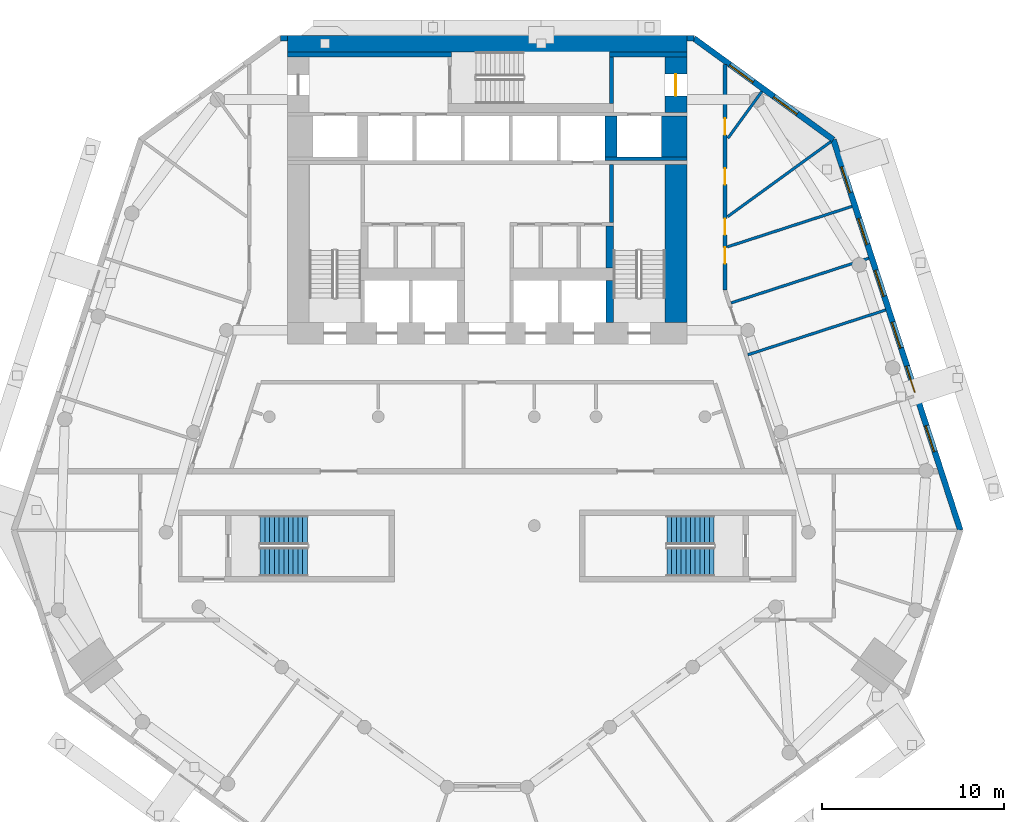
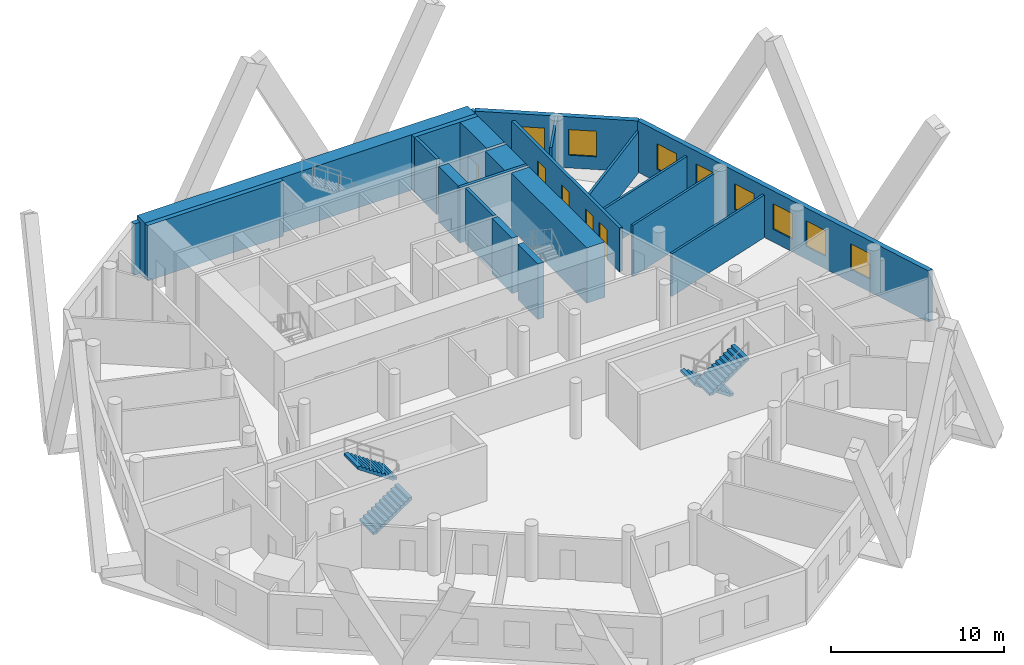
# One storey, part 7 of 10: 22 walls, 8 windows, 5 doors, 4 stair flights, 13 openings, 2 elements without a shape of their own.
"""IFC4 building model written with IfcOpenShell, lengths in metres."""

from ifc_helpers import new_model, si_unit, direction, frame, frame_2d, origin, place, context, subcontext, project, spatial, polyline, rectangle, outline, extrude, material, layer, layer_set, type_object, element, fill, aggregate, save


model = new_model("IFC4")

# Units and contexts
model_context = context("Model", 3, precision=1e-05, world=origin(), true_north=direction((0.0, 1.0)))
body_context = subcontext(model_context, "Body", "Model", "MODEL_VIEW")
ifc_project = project(units=[si_unit("LENGTHUNIT", "METRE"), si_unit("AREAUNIT", "SQUARE_METRE"), si_unit("VOLUMEUNIT", "CUBIC_METRE"), si_unit("PLANEANGLEUNIT", "RADIAN"), si_unit("MASSUNIT", "GRAM", prefix="KILO")], contexts=[model_context])

# Site, building, storey
site_placement = place(None, origin())
site = spatial("IfcSite", under=ifc_project, at=site_placement, CompositionType="ELEMENT")
building_placement = place(site_placement, origin())
building = spatial("IfcBuilding", under=site, at=building_placement, Name="White Candle Pilgrim Tower", CompositionType="ELEMENT")
storey_placement = place(building_placement, frame((0.0, 0.0, 54.60009765625)))
storey = spatial("IfcBuildingStorey", under=building, at=storey_placement, Name="L10", CompositionType="ELEMENT", Elevation=54.60009765625)

# Wall, opening, door
ifc_material_1 = material(Name="Concrete C70/85", Category="concrete")
ifc_layer_1 = layer(ifc_material_1, 1.199951171875)
ifc_layer_set_1 = layer_set([ifc_layer_1], Name="Core wall 1200 mm Concrete C70/85")
wall_type_1 = type_object("IfcWallType", Name="Core wall 1200 mm Concrete C70/85", PredefinedType="SHEAR", material=ifc_layer_set_1)
wall_1_placement = place(storey_placement, frame((80.39990234375, 83.75, 0.0), z_axis=(0.0, 0.0, 1.0), x_axis=(0.0, 1.0, 0.0)))
wall_1 = element("IfcWall", 1, at=wall_1_placement, inside=storey, type_object=wall_type_1, Name="WL-L10-C48", PredefinedType="SHEAR", context=body_context, shape_type="SweptSolid", body=[
    extrude(rectangle(XDim=3.050048828125, YDim=1.199951171875, at=frame_2d((1.52490234375, 0.0))), origin(), (0.0, 0.0, 1.0), 3.89990234375),
])
opening_1_placement = place(wall_1_placement, frame((0.925048828125, 0.0, 0.0)))
opening_1 = element("IfcOpeningElement", 2, at=opening_1_placement, cuts=wall_1, Name="Opening T03-006", PredefinedType="OPENING", context=body_context, shape_type="SweptSolid", body=[
    extrude(rectangle(XDim=1.199951171875, YDim=2.10009765625, at=frame_2d((0.60009765625, 1.050048828125))), frame((0.0, 0.60986328125, 0.0), z_axis=(0.0, -1.0, 0.0), x_axis=(1.0, 0.0, 0.0)), (0.0, 0.0, 1.0), 1.219970703125),
])
ifc_material_2 = material(Name="Steel door leaf", Category="steel")
door_type_1 = type_object("IfcDoorType", Name="Fire door 1200 x 2100 EI 30", OperationType="NOTDEFINED", PredefinedType="DOOR", material=ifc_material_2)
door_1_placement = place(opening_1_placement, origin())
door_1 = element("IfcDoor", 3, at=door_1_placement, inside=storey, type_object=door_type_1, Name="Door T03-006", OperationType="SINGLE_SWING_RIGHT", OverallHeight=2.10009765625, OverallWidth=1.199951171875, PredefinedType="DOOR", context=body_context, shape_type="SweptSolid", body=[
    extrude(rectangle(XDim=1.199951171875, YDim=2.10009765625, at=frame_2d((0.60009765625, 1.050048828125))), frame((0.0, 0.02490234375, 0.0), z_axis=(0.0, -1.0, 0.0), x_axis=(1.0, 0.0, 0.0)), (0.0, 0.0, 1.0), 0.050048828125),
])
fill(opening_1, door_1)

# Walls
ifc_layer_2 = layer(ifc_material_1, 1.39990234375)
ifc_layer_set_2 = layer_set([ifc_layer_2], Name="Core wall 1400 mm Concrete C70/85")
wall_type_2 = type_object("IfcWallType", Name="Core wall 1400 mm Concrete C70/85", PredefinedType="SHEAR", material=ifc_layer_set_2)
wall_2_placement = place(storey_placement, frame((80.300048828125, 81.300048828125, 0.0), z_axis=(0.0, 0.0, 1.0), x_axis=(0.0, 1.0, 0.0)))
element("IfcWall", 4, at=wall_2_placement, inside=storey, type_object=wall_type_2, Name="WL-L10-C44", PredefinedType="SHEAR", context=body_context, shape_type="SweptSolid", body=[
    extrude(rectangle(XDim=2.25, YDim=1.39990234375, at=frame_2d((1.125, 0.0))), origin(), (0.0, 0.0, 1.0), 3.89990234375),
])
ifc_layer_3 = layer(ifc_material_1, 0.199951171875)
ifc_layer_set_3 = layer_set([ifc_layer_3], Name="Core wall 200 mm Concrete C70/85")
wall_type_3 = type_object("IfcWallType", Name="Core wall 200 mm Concrete C70/85", PredefinedType="SHEAR", material=ifc_layer_set_3)
wall_3_placement = place(storey_placement, frame((76.5, 81.199951171875, 0.0), z_axis=(0.0, 0.0, 1.0), x_axis=(1.0, 0.0, 0.0)))
element("IfcWall", 5, at=wall_3_placement, inside=storey, type_object=wall_type_3, Name="WL-L10-C40", PredefinedType="SHEAR", context=body_context, shape_type="SweptSolid", body=[
    extrude(rectangle(XDim=4.5, YDim=0.199951171875, at=frame_2d((2.25, 0.0))), origin(), (0.0, 0.0, 1.0), 3.89990234375),
])

# Wall, openings, doors
ifc_material_3 = material(Name="Gypsum board on steel studs", Category="steel")
ifc_layer_4 = layer(ifc_material_3, 0.199951171875)
ifc_layer_set_4 = layer_set([ifc_layer_4], Name="Corridor wall 200 mm EI 45")
wall_type_4 = type_object("IfcWallType", Name="Corridor wall 200 mm EI 45", PredefinedType="PARTITIONING", material=ifc_layer_set_4)
wall_4_placement = place(storey_placement, frame((83.10009765625, 86.396240234375, 0.0), z_axis=(0.0, 0.0, 1.0), x_axis=(0.0, -1.0, 0.0)))
wall_4 = element("IfcWall", 6, at=wall_4_placement, inside=storey, type_object=wall_type_4, Name="WL-L10-P004", PredefinedType="PARTITIONING", context=body_context, shape_type="SweptSolid", body=[
    extrude(rectangle(XDim=12.40478515625, YDim=0.199951171875, at=frame_2d((6.202392578125, 0.0))), origin(), (0.0, 0.0, 1.0), 3.099853515625),
])
opening_2_placement = place(wall_4_placement, frame((2.971435546875, 0.0, 0.0)))
opening_2 = element("IfcOpeningElement", 7, at=opening_2_placement, cuts=wall_4, Name="Opening T03-121", PredefinedType="OPENING", context=body_context, shape_type="SweptSolid", body=[
    extrude(rectangle(XDim=0.89990234375, YDim=2.10009765625, at=frame_2d((0.449951171875, 1.050048828125))), frame((0.0, 0.10986328125, 0.0), z_axis=(0.0, -1.0, 0.0), x_axis=(1.0, 0.0, 0.0)), (0.0, 0.0, 1.0), 0.219970703125),
])
opening_3_placement = place(wall_4_placement, frame((5.717041015625, 0.0, 0.0)))
opening_3 = element("IfcOpeningElement", 8, at=opening_3_placement, cuts=wall_4, Name="Opening T03-122", PredefinedType="OPENING", context=body_context, shape_type="SweptSolid", body=[
    extrude(rectangle(XDim=0.89990234375, YDim=2.10009765625, at=frame_2d((0.449951171875, 1.050048828125))), frame((0.0, 0.10986328125, 0.0), z_axis=(0.0, -1.0, 0.0), x_axis=(1.0, 0.0, 0.0)), (0.0, 0.0, 1.0), 0.219970703125),
])
opening_4_placement = place(wall_4_placement, frame((8.486572265625, 0.0, 0.0)))
opening_4 = element("IfcOpeningElement", 9, at=opening_4_placement, cuts=wall_4, Name="Opening T03-123", PredefinedType="OPENING", context=body_context, shape_type="SweptSolid", body=[
    extrude(rectangle(XDim=0.89990234375, YDim=2.10009765625, at=frame_2d((0.449951171875, 1.050048828125))), frame((0.0, 0.10986328125, 0.0), z_axis=(0.0, -1.0, 0.0), x_axis=(1.0, 0.0, 0.0)), (0.0, 0.0, 1.0), 0.219970703125),
])
opening_5_placement = place(wall_4_placement, frame((10.068603515625, 0.0, 0.0)))
opening_5 = element("IfcOpeningElement", 10, at=opening_5_placement, cuts=wall_4, Name="Opening T03-124", PredefinedType="OPENING", context=body_context, shape_type="SweptSolid", body=[
    extrude(rectangle(XDim=0.89990234375, YDim=2.10009765625, at=frame_2d((0.449951171875, 1.050048828125))), frame((0.0, 0.10986328125, 0.0), z_axis=(0.0, -1.0, 0.0), x_axis=(1.0, 0.0, 0.0)), (0.0, 0.0, 1.0), 0.219970703125),
])
door_type_2 = type_object("IfcDoorType", Name="Fire door 900 x 2100 EI 30", OperationType="NOTDEFINED", PredefinedType="DOOR", material=ifc_material_2)
door_2_placement = place(opening_2_placement, origin())
door_2 = element("IfcDoor", 11, at=door_2_placement, inside=storey, type_object=door_type_2, Name="Door T03-121", OperationType="SINGLE_SWING_LEFT", OverallHeight=2.10009765625, OverallWidth=0.89990234375, PredefinedType="DOOR", context=body_context, shape_type="SweptSolid", body=[
    extrude(rectangle(XDim=0.89990234375, YDim=2.10009765625, at=frame_2d((0.449951171875, 1.050048828125))), frame((0.0, 0.02490234375, 0.0), z_axis=(0.0, -1.0, 0.0), x_axis=(1.0, 0.0, 0.0)), (0.0, 0.0, 1.0), 0.050048828125),
])
fill(opening_2, door_2)
door_3_placement = place(opening_3_placement, origin())
door_3 = element("IfcDoor", 12, at=door_3_placement, inside=storey, type_object=door_type_2, Name="Door T03-122", OperationType="SINGLE_SWING_RIGHT", OverallHeight=2.10009765625, OverallWidth=0.89990234375, PredefinedType="DOOR", context=body_context, shape_type="SweptSolid", body=[
    extrude(rectangle(XDim=0.89990234375, YDim=2.10009765625, at=frame_2d((0.449951171875, 1.050048828125))), frame((0.0, 0.02490234375, 0.0), z_axis=(0.0, -1.0, 0.0), x_axis=(1.0, 0.0, 0.0)), (0.0, 0.0, 1.0), 0.050048828125),
])
fill(opening_3, door_3)
door_4_placement = place(opening_4_placement, origin())
door_4 = element("IfcDoor", 13, at=door_4_placement, inside=storey, type_object=door_type_2, Name="Door T03-123", OperationType="SINGLE_SWING_LEFT", OverallHeight=2.10009765625, OverallWidth=0.89990234375, PredefinedType="DOOR", context=body_context, shape_type="SweptSolid", body=[
    extrude(rectangle(XDim=0.89990234375, YDim=2.10009765625, at=frame_2d((0.449951171875, 1.050048828125))), frame((0.0, 0.02490234375, 0.0), z_axis=(0.0, -1.0, 0.0), x_axis=(1.0, 0.0, 0.0)), (0.0, 0.0, 1.0), 0.050048828125),
])
fill(opening_4, door_4)
door_5_placement = place(opening_5_placement, origin())
door_5 = element("IfcDoor", 14, at=door_5_placement, inside=storey, type_object=door_type_2, Name="Door T03-124", OperationType="SINGLE_SWING_RIGHT", OverallHeight=2.10009765625, OverallWidth=0.89990234375, PredefinedType="DOOR", context=body_context, shape_type="SweptSolid", body=[
    extrude(rectangle(XDim=0.89990234375, YDim=2.10009765625, at=frame_2d((0.449951171875, 1.050048828125))), frame((0.0, 0.02490234375, 0.0), z_axis=(0.0, -1.0, 0.0), x_axis=(1.0, 0.0, 0.0)), (0.0, 0.0, 1.0), 0.050048828125),
])
fill(opening_5, door_5)

# Wall, openings, windows
ifc_material_4 = material(Name="Precast concrete C40/50", Category="concrete")
ifc_layer_5 = layer(ifc_material_4, 0.320068359375)
ifc_layer_set_5 = layer_set([ifc_layer_5], Name="Facade wall EW1 precast concrete C40/50 pier wall with timber-lined reveals")
wall_type_5 = type_object("IfcWallType", Name="Facade wall EW1 precast concrete C40/50 pier wall with timber-lined reveals", PredefinedType="SOLIDWALL", material=ifc_layer_set_5)
wall_5_placement = place(storey_placement, frame((96.062255859375, 60.747314453125, 0.0), z_axis=(0.0, 0.0, 1.0), x_axis=(-0.309021621323, 0.951055012896, 0.0)))
wall_5 = element("IfcWall", 15, at=wall_5_placement, inside=storey, type_object=wall_type_5, Name="Facade wall L10 ENE", PredefinedType="SOLIDWALL", context=body_context, shape_type="SweptSolid", body=[
    extrude(rectangle(XDim=22.612548828125, YDim=0.320068359375, at=frame_2d((11.30615234375, 0.0))), origin(), (0.0, 0.0, 1.0), 3.599853515625),
])
opening_6_placement = place(wall_5_placement, frame((4.556396484375, 0.0, 0.89990234375)))
opening_6 = element("IfcOpeningElement", 16, at=opening_6_placement, cuts=wall_5, Name="Opening W1", PredefinedType="OPENING", context=body_context, shape_type="SweptSolid", body=[
    extrude(rectangle(XDim=1.5, YDim=1.800048828125, at=frame_2d((0.75, 0.89990234375))), frame((0.0, 0.169921875, 0.0), z_axis=(0.0, -1.0, 0.0), x_axis=(1.0, 0.0, 0.0)), (0.0, 0.0, 1.0), 0.340087890625),
])
opening_7_placement = place(wall_5_placement, frame((8.00634765625, 0.0, 0.89990234375)))
opening_7 = element("IfcOpeningElement", 17, at=opening_7_placement, cuts=wall_5, Name="Opening W1", PredefinedType="OPENING", context=body_context, shape_type="SweptSolid", body=[
    extrude(rectangle(XDim=1.5, YDim=1.800048828125, at=frame_2d((0.75, 0.89990234375))), frame((0.0, 0.169921875, 0.0), z_axis=(0.0, -1.0, 0.0), x_axis=(1.0, 0.0, 0.0)), (0.0, 0.0, 1.0), 0.340087890625),
])
opening_8_placement = place(wall_5_placement, frame((10.556396484375, 0.0, 0.89990234375)))
opening_8 = element("IfcOpeningElement", 18, at=opening_8_placement, cuts=wall_5, Name="Opening W1", PredefinedType="OPENING", context=body_context, shape_type="SweptSolid", body=[
    extrude(rectangle(XDim=1.5, YDim=1.800048828125, at=frame_2d((0.75, 0.89990234375))), frame((0.0, 0.169921875, 0.0), z_axis=(0.0, -1.0, 0.0), x_axis=(1.0, 0.0, 0.0)), (0.0, 0.0, 1.0), 0.340087890625),
])
opening_9_placement = place(wall_5_placement, frame((13.556396484375, 0.0, 0.89990234375)))
opening_9 = element("IfcOpeningElement", 19, at=opening_9_placement, cuts=wall_5, Name="Opening W1", PredefinedType="OPENING", context=body_context, shape_type="SweptSolid", body=[
    extrude(rectangle(XDim=1.5, YDim=1.800048828125, at=frame_2d((0.75, 0.89990234375))), frame((0.0, 0.169921875, 0.0), z_axis=(0.0, -1.0, 0.0), x_axis=(1.0, 0.0, 0.0)), (0.0, 0.0, 1.0), 0.340087890625),
])
opening_10_placement = place(wall_5_placement, frame((16.556396484375, 0.0, 0.89990234375)))
opening_10 = element("IfcOpeningElement", 20, at=opening_10_placement, cuts=wall_5, Name="Opening W1", PredefinedType="OPENING", context=body_context, shape_type="SweptSolid", body=[
    extrude(rectangle(XDim=1.5, YDim=1.800048828125, at=frame_2d((0.75, 0.89990234375))), frame((0.0, 0.169921875, 0.0), z_axis=(0.0, -1.0, 0.0), x_axis=(1.0, 0.0, 0.0)), (0.0, 0.0, 1.0), 0.340087890625),
])
opening_11_placement = place(wall_5_placement, frame((19.556396484375, 0.0, 0.89990234375)))
opening_11 = element("IfcOpeningElement", 21, at=opening_11_placement, cuts=wall_5, Name="Opening W1", PredefinedType="OPENING", context=body_context, shape_type="SweptSolid", body=[
    extrude(rectangle(XDim=1.5, YDim=1.800048828125, at=frame_2d((0.75, 0.89990234375))), frame((0.0, 0.169921875, 0.0), z_axis=(0.0, -1.0, 0.0), x_axis=(1.0, 0.0, 0.0)), (0.0, 0.0, 1.0), 0.340087890625),
])
ifc_material_5 = material(Name="Timber frame with triple glazing", Category="wood")
window_type_1 = type_object("IfcWindowType", Name="Window W1 1500x1800 timber frame triple glazing", PartitioningType="SINGLE_PANEL", PredefinedType="WINDOW", material=ifc_material_5)
window_1_placement = place(opening_6_placement, origin())
window_1 = element("IfcWindow", 22, at=window_1_placement, inside=storey, type_object=window_type_1, Name="Window W1 L10 ENE 2", OverallHeight=1.800048828125, OverallWidth=1.5, PartitioningType="SINGLE_PANEL", PredefinedType="WINDOW", context=body_context, shape_type="SweptSolid", body=[
    extrude(rectangle(XDim=1.5, YDim=1.800048828125, at=frame_2d((0.75, 0.89990234375))), frame((0.0, 0.070068359375, 0.0), z_axis=(0.0, -1.0, 0.0), x_axis=(1.0, 0.0, 0.0)), (0.0, 0.0, 1.0), 0.06005859375),
])
fill(opening_6, window_1)
window_2_placement = place(opening_7_placement, origin())
window_2 = element("IfcWindow", 23, at=window_2_placement, inside=storey, type_object=window_type_1, Name="Window W1 L10 ENE 3", OverallHeight=1.800048828125, OverallWidth=1.5, PartitioningType="SINGLE_PANEL", PredefinedType="WINDOW", context=body_context, shape_type="SweptSolid", body=[
    extrude(rectangle(XDim=1.5, YDim=1.800048828125, at=frame_2d((0.75, 0.89990234375))), frame((0.0, 0.070068359375, 0.0), z_axis=(0.0, -1.0, 0.0), x_axis=(1.0, 0.0, 0.0)), (0.0, 0.0, 1.0), 0.06005859375),
])
fill(opening_7, window_2)
window_3_placement = place(opening_8_placement, origin())
window_3 = element("IfcWindow", 24, at=window_3_placement, inside=storey, type_object=window_type_1, Name="Window W1 L10 ENE 4", OverallHeight=1.800048828125, OverallWidth=1.5, PartitioningType="SINGLE_PANEL", PredefinedType="WINDOW", context=body_context, shape_type="SweptSolid", body=[
    extrude(rectangle(XDim=1.5, YDim=1.800048828125, at=frame_2d((0.75, 0.89990234375))), frame((0.0, 0.070068359375, 0.0), z_axis=(0.0, -1.0, 0.0), x_axis=(1.0, 0.0, 0.0)), (0.0, 0.0, 1.0), 0.06005859375),
])
fill(opening_8, window_3)
window_4_placement = place(opening_9_placement, origin())
window_4 = element("IfcWindow", 25, at=window_4_placement, inside=storey, type_object=window_type_1, Name="Window W1 L10 ENE 5", OverallHeight=1.800048828125, OverallWidth=1.5, PartitioningType="SINGLE_PANEL", PredefinedType="WINDOW", context=body_context, shape_type="SweptSolid", body=[
    extrude(rectangle(XDim=1.5, YDim=1.800048828125, at=frame_2d((0.75, 0.89990234375))), frame((0.0, 0.070068359375, 0.0), z_axis=(0.0, -1.0, 0.0), x_axis=(1.0, 0.0, 0.0)), (0.0, 0.0, 1.0), 0.06005859375),
])
fill(opening_9, window_4)
window_5_placement = place(opening_10_placement, origin())
window_5 = element("IfcWindow", 26, at=window_5_placement, inside=storey, type_object=window_type_1, Name="Window W1 L10 ENE 6", OverallHeight=1.800048828125, OverallWidth=1.5, PartitioningType="SINGLE_PANEL", PredefinedType="WINDOW", context=body_context, shape_type="SweptSolid", body=[
    extrude(rectangle(XDim=1.5, YDim=1.800048828125, at=frame_2d((0.75, 0.89990234375))), frame((0.0, 0.070068359375, 0.0), z_axis=(0.0, -1.0, 0.0), x_axis=(1.0, 0.0, 0.0)), (0.0, 0.0, 1.0), 0.06005859375),
])
fill(opening_10, window_5)
window_6_placement = place(opening_11_placement, origin())
window_6 = element("IfcWindow", 27, at=window_6_placement, inside=storey, type_object=window_type_1, Name="Window W1 L10 ENE 7", OverallHeight=1.800048828125, OverallWidth=1.5, PartitioningType="SINGLE_PANEL", PredefinedType="WINDOW", context=body_context, shape_type="SweptSolid", body=[
    extrude(rectangle(XDim=1.5, YDim=1.800048828125, at=frame_2d((0.75, 0.89990234375))), frame((0.0, 0.070068359375, 0.0), z_axis=(0.0, -1.0, 0.0), x_axis=(1.0, 0.0, 0.0)), (0.0, 0.0, 1.0), 0.06005859375),
])
fill(opening_11, window_6)

wall_6_placement = place(storey_placement, frame((89.074462890625, 82.253173828125, 0.0), z_axis=(0.0, 0.0, 1.0), x_axis=(-0.809007020713, 0.587798979616, 0.0)))
wall_6 = element("IfcWall", 28, at=wall_6_placement, inside=storey, type_object=wall_type_5, Name="Facade wall L10 NE chamfer", PredefinedType="SOLIDWALL", context=body_context, shape_type="SweptSolid", body=[
    extrude(rectangle(XDim=9.5048828125, YDim=0.320068359375, at=frame_2d((4.75244140625, 0.0))), origin(), (0.0, 0.0, 1.0), 3.599853515625),
])
opening_12_placement = place(wall_6_placement, frame((2.452392578125, 0.0, 0.89990234375)))
opening_12 = element("IfcOpeningElement", 29, at=opening_12_placement, cuts=wall_6, Name="Opening W2", PredefinedType="OPENING", context=body_context, shape_type="SweptSolid", body=[
    extrude(rectangle(XDim=1.60009765625, YDim=1.800048828125, at=frame_2d((0.800048828125, 0.89990234375))), frame((0.0, 0.169921875, 0.0), z_axis=(0.0, -1.0, 0.0), x_axis=(1.0, 0.0, 0.0)), (0.0, 0.0, 1.0), 0.340087890625),
])
opening_13_placement = place(wall_6_placement, frame((5.445068359375, 0.0, 0.89990234375)))
opening_13 = element("IfcOpeningElement", 30, at=opening_13_placement, cuts=wall_6, Name="Opening W2", PredefinedType="OPENING", context=body_context, shape_type="SweptSolid", body=[
    extrude(rectangle(XDim=1.60009765625, YDim=1.800048828125, at=frame_2d((0.800048828125, 0.89990234375))), frame((0.0, 0.169921875, 0.0), z_axis=(0.0, -1.0, 0.0), x_axis=(1.0, 0.0, 0.0)), (0.0, 0.0, 1.0), 0.340087890625),
])
window_type_2 = type_object("IfcWindowType", Name="Window W2 1600x1800 timber frame triple glazing", PartitioningType="SINGLE_PANEL", PredefinedType="WINDOW", material=ifc_material_5)
window_7_placement = place(opening_12_placement, origin())
window_7 = element("IfcWindow", 31, at=window_7_placement, inside=storey, type_object=window_type_2, Name="Window W2 L10 NE chamfer 1", OverallHeight=1.800048828125, OverallWidth=1.60009765625, PartitioningType="SINGLE_PANEL", PredefinedType="WINDOW", context=body_context, shape_type="SweptSolid", body=[
    extrude(rectangle(XDim=1.60009765625, YDim=1.800048828125, at=frame_2d((0.800048828125, 0.89990234375))), frame((0.0, 0.070068359375, 0.0), z_axis=(0.0, -1.0, 0.0), x_axis=(1.0, 0.0, 0.0)), (0.0, 0.0, 1.0), 0.06005859375),
])
fill(opening_12, window_7)
window_8_placement = place(opening_13_placement, origin())
window_8 = element("IfcWindow", 32, at=window_8_placement, inside=storey, type_object=window_type_2, Name="Window W2 L10 NE chamfer 2", OverallHeight=1.800048828125, OverallWidth=1.60009765625, PartitioningType="SINGLE_PANEL", PredefinedType="WINDOW", context=body_context, shape_type="SweptSolid", body=[
    extrude(rectangle(XDim=1.60009765625, YDim=1.800048828125, at=frame_2d((0.800048828125, 0.89990234375))), frame((0.0, 0.070068359375, 0.0), z_axis=(0.0, -1.0, 0.0), x_axis=(1.0, 0.0, 0.0)), (0.0, 0.0, 1.0), 0.06005859375),
])
fill(opening_13, window_8)

# Walls
for number, where, z_axis, x_axis, name in (
    (33, (81.385009765625, 87.840087890625, 0.0), (0.0, 0.0, 1.0), (-1.0, 0.0, 0.0), "Facade wall L10 N"),
    (34, (59.0, 87.840087890625, 0.0), (0.0, 0.0, 1.0), (-1.0, 0.0, 0.0), "Facade wall L10 N"),
):
    element("IfcWall", number, at=place(storey_placement, frame(where, z_axis=z_axis, x_axis=x_axis)), inside=storey, type_object=wall_type_5, Name=name, PredefinedType="SOLIDWALL", context=body_context, shape_type="SweptSolid", body=[
        extrude(rectangle(XDim=0.385009765625, YDim=0.320068359375, at=frame_2d((0.1923828125, 0.0))), origin(), (0.0, 0.0, 1.0), 3.599853515625),
    ])
ifc_layer_6 = layer(ifc_material_3, 0.14990234375)
ifc_layer_set_6 = layer_set([ifc_layer_6], Name="Partition 150 mm EI 60")
wall_type_6 = type_object("IfcWallType", Name="Partition 150 mm EI 60", PredefinedType="PARTITIONING", material=ifc_layer_set_6)
wall_7_placement = place(storey_placement, frame((88.9384765625, 82.154296875, 0.0), z_axis=(0.0, 0.0, 1.0), x_axis=(-0.809014980817, -0.587788023707, 0.0)))
element("IfcWall", 35, at=wall_7_placement, inside=storey, type_object=wall_type_6, Name="WL-L10-P023", PredefinedType="PARTITIONING", context=body_context, shape_type="SweptSolid", body=[
    extrude(rectangle(XDim=7.03857421875, YDim=0.14990234375, at=frame_2d((3.519287109375, 0.0))), origin(), (0.0, 0.0, 1.0), 2.89990234375),
])
wall_8_placement = place(storey_placement, frame((91.95263671875, 72.87744140625, 0.0), z_axis=(0.0, 0.0, 1.0), x_axis=(-0.951060595449, -0.309004439749, 0.0)))
element("IfcWall", 36, at=wall_8_placement, inside=storey, type_object=wall_type_6, Name="WL-L10-P035", PredefinedType="PARTITIONING", context=body_context, shape_type="SweptSolid", body=[
    extrude(rectangle(XDim=7.97998046875, YDim=0.14990234375, at=frame_2d((3.989990234375, 0.0))), origin(), (0.0, 0.0, 1.0), 3.0),
])
wall_9_placement = place(storey_placement, frame((91.025634765625, 75.730712890625, 0.0), z_axis=(0.0, 0.0, 1.0), x_axis=(-0.95105160396, -0.309032112578, 0.0)))
element("IfcWall", 37, at=wall_9_placement, inside=storey, type_object=wall_type_6, Name="WL-L10-P036", PredefinedType="PARTITIONING", context=body_context, shape_type="SweptSolid", body=[
    extrude(rectangle(XDim=7.97998046875, YDim=0.14990234375, at=frame_2d((3.989990234375, 0.0))), origin(), (0.0, 0.0, 1.0), 3.599853515625),
])
wall_10_placement = place(storey_placement, frame((90.098388671875, 78.583740234375, 0.0), z_axis=(0.0, 0.0, 1.0), x_axis=(-0.951057147206, -0.309015052624, 0.0)))
element("IfcWall", 38, at=wall_10_placement, inside=storey, type_object=wall_type_6, Name="WL-L10-P037", PredefinedType="PARTITIONING", context=body_context, shape_type="SweptSolid", body=[
    extrude(rectangle(XDim=7.22900390625, YDim=0.14990234375, at=frame_2d((3.614501953125, 0.0))), origin(), (0.0, 0.0, 1.0), 2.89990234375),
])
wall_11_placement = place(storey_placement, frame((85.1357421875, 84.917236328125, 0.0), z_axis=(0.0, 0.0, 1.0), x_axis=(-0.587771173364, -0.809027223128, 0.0)))
element("IfcWall", 39, at=wall_11_placement, inside=storey, type_object=wall_type_6, Name="WL-L10-P038", PredefinedType="PARTITIONING", context=body_context, shape_type="SweptSolid", body=[
    extrude(rectangle(XDim=3.18994140625, YDim=0.14990234375, at=frame_2d((1.594970703125, 0.0))), origin(), (0.0, 0.0, 1.0), 3.599853515625),
])
ifc_layer_7 = layer(ifc_material_1, 0.64990234375)
ifc_layer_set_7 = layer_set([ifc_layer_7], Name="Shaft wall 650 mm Concrete C70/85")
wall_type_7 = type_object("IfcWallType", Name="Shaft wall 650 mm Concrete C70/85", PredefinedType="SHEAR", material=ifc_layer_set_7)
wall_12_placement = place(storey_placement, frame((76.824951171875, 81.300048828125, 0.0), z_axis=(0.0, 0.0, 1.0), x_axis=(0.0, 1.0, 0.0)))
element("IfcWall", 40, at=wall_12_placement, inside=storey, type_object=wall_type_7, Name="WL-L10-C43", PredefinedType="SHEAR", context=body_context, shape_type="SweptSolid", body=[
    extrude(rectangle(XDim=2.25, YDim=0.64990234375, at=frame_2d((1.125, 0.0))), origin(), (0.0, 0.0, 1.0), 3.89990234375),
])
ifc_layer_8 = layer(ifc_material_1, 1.199951171875)
ifc_layer_set_8 = layer_set([ifc_layer_8], Name="Stair shaft wall 1200 mm Concrete C70/85")
wall_type_8 = type_object("IfcWallType", Name="Stair shaft wall 1200 mm Concrete C70/85", PredefinedType="SHEAR", material=ifc_layer_set_8)
wall_13_placement = place(storey_placement, frame((80.39990234375, 72.199951171875, 0.0), z_axis=(0.0, 0.0, 1.0), x_axis=(0.0, 1.0, 0.0)))
element("IfcWall", 41, at=wall_13_placement, inside=storey, type_object=wall_type_8, Name="WL-L10-C19", PredefinedType="SHEAR", context=body_context, shape_type="SweptSolid", body=[
    extrude(rectangle(XDim=8.699951171875, YDim=1.199951171875, at=frame_2d((4.35009765625, 0.0))), origin(), (0.0, 0.0, 1.0), 3.89990234375),
])
ifc_layer_9 = layer(ifc_material_1, 0.199951171875)
ifc_layer_set_9 = layer_set([ifc_layer_9], Name="Stair shaft wall 200 mm Concrete C70/85")
wall_type_9 = type_object("IfcWallType", Name="Stair shaft wall 200 mm Concrete C70/85", PredefinedType="SHEAR", material=ifc_layer_set_9)
wall_14_placement = place(storey_placement, frame((76.85009765625, 77.699951171875, 0.0), z_axis=(0.0, 0.0, 1.0), x_axis=(0.0, 1.0, 0.0)))
element("IfcWall", 42, at=wall_14_placement, inside=storey, type_object=wall_type_9, Name="WL-L10-C33", PredefinedType="SHEAR", context=body_context, shape_type="SweptSolid", body=[
    extrude(rectangle(XDim=3.199951171875, YDim=0.199951171875, at=frame_2d((1.60009765625, 0.0))), origin(), (0.0, 0.0, 1.0), 3.89990234375),
])
wall_15_placement = place(storey_placement, frame((76.85009765625, 84.25, 0.0), z_axis=(0.0, 0.0, 1.0), x_axis=(0.0, 1.0, 0.0)))
element("IfcWall", 43, at=wall_15_placement, inside=storey, type_object=wall_type_9, Name="WL-L10-C50", PredefinedType="SHEAR", context=body_context, shape_type="SweptSolid", body=[
    extrude(rectangle(XDim=2.550048828125, YDim=0.199951171875, at=frame_2d((1.27490234375, 0.0))), origin(), (0.0, 0.0, 1.0), 3.89990234375),
])
ifc_layer_10 = layer(ifc_material_1, 0.300048828125)
ifc_layer_set_10 = layer_set([ifc_layer_10], Name="Stair shaft wall 300 mm Concrete C70/85")
wall_type_10 = type_object("IfcWallType", Name="Stair shaft wall 300 mm Concrete C70/85", PredefinedType="SHEAR", material=ifc_layer_set_10)
wall_16_placement = place(storey_placement, frame((59.0, 86.949951171875, 0.0), z_axis=(0.0, 0.0, 1.0), x_axis=(1.0, 0.0, 0.0)))
element("IfcWall", 44, at=wall_16_placement, inside=storey, type_object=wall_type_10, Name="WL-L10-C51", PredefinedType="SHEAR", context=body_context, shape_type="SweptSolid", body=[
    extrude(rectangle(XDim=9.050048828125, YDim=0.300048828125, at=frame_2d((4.52490234375, 0.0))), origin(), (0.0, 0.0, 1.0), 3.89990234375),
])
wall_17_placement = place(storey_placement, frame((76.75, 86.949951171875, 0.0), z_axis=(0.0, 0.0, 1.0), x_axis=(1.0, 0.0, 0.0)))
element("IfcWall", 45, at=wall_17_placement, inside=storey, type_object=wall_type_10, Name="WL-L10-C52", PredefinedType="SHEAR", context=body_context, shape_type="SweptSolid", body=[
    extrude(rectangle(XDim=4.25, YDim=0.300048828125, at=frame_2d((2.125, 0.0))), origin(), (0.0, 0.0, 1.0), 3.89990234375),
])
ifc_layer_11 = layer(ifc_material_1, 0.39990234375)
ifc_layer_set_11 = layer_set([ifc_layer_11], Name="Stair shaft wall 400 mm Concrete C70/85")
wall_type_11 = type_object("IfcWallType", Name="Stair shaft wall 400 mm Concrete C70/85", PredefinedType="SHEAR", material=ifc_layer_set_11)
for number, where, z_axis, x_axis, name in (
    (46, (76.75, 72.199951171875, 0.0), (0.0, 0.0, 1.0), (0.0, 1.0, 0.0), "WL-L10-C18"),
    (47, (76.75, 75.199951171875, 0.0), (0.0, 0.0, 1.0), (0.0, 1.0, 0.0), "WL-L10-C29"),
):
    element("IfcWall", number, at=place(storey_placement, frame(where, z_axis=z_axis, x_axis=x_axis)), inside=storey, type_object=wall_type_11, Name=name, PredefinedType="SHEAR", context=body_context, shape_type="SweptSolid", body=[
        extrude(rectangle(XDim=2.300048828125, YDim=0.39990234375, at=frame_2d((1.14990234375, 0.0))), origin(), (0.0, 0.0, 1.0), 3.89990234375),
    ])
ifc_layer_12 = layer(ifc_material_1, 0.89990234375)
ifc_layer_set_12 = layer_set([ifc_layer_12], Name="Stair shaft wall 900 mm Concrete C70/85")
wall_type_12 = type_object("IfcWallType", Name="Stair shaft wall 900 mm Concrete C70/85", PredefinedType="SHEAR", material=ifc_layer_set_12)
wall_18_placement = place(storey_placement, frame((59.0, 87.550048828125, 0.0), z_axis=(0.0, 0.0, 1.0), x_axis=(1.0, 0.0, 0.0)))
element("IfcWall", 48, at=wall_18_placement, inside=storey, type_object=wall_type_12, Name="WL-L10-C53", PredefinedType="SHEAR", context=body_context, shape_type="SweptSolid", body=[
    extrude(rectangle(XDim=22.0, YDim=0.89990234375, at=frame_2d((11.0, 0.0))), origin(), (0.0, 0.0, 1.0), 3.89990234375),
])

# Stair, stair flights
ifc_material_6 = material(Name="Concrete C40/50", Category="concrete")
stair_type_1 = type_object("IfcStairType", Name="Exit stair 4 flight width 1600 mm", PredefinedType="HALF_TURN_STAIR", material=ifc_material_6)
stair_1_placement = place(storey_placement, origin())
stair_1 = element("IfcStair", 49, at=stair_1_placement, inside=storey, type_object=stair_type_1, Name="L10 stair 4", PredefinedType="NOTDEFINED")
ifc_layer_13 = layer(ifc_material_6, 0.14990234375)
ifc_layer_set_13 = layer_set([ifc_layer_13], Name="Stair flight Concrete C40/50")
stair_flight_type = type_object("IfcStairFlightType", Name="Stair flight Concrete C40/50", PredefinedType="STRAIGHT", material=ifc_layer_set_13)
stair_flight_1_placement = place(storey_placement, frame((82.5, 60.75, 0.0), z_axis=(0.0, 0.0, 1.0), x_axis=(-1.0, 0.0, 0.0)))
stair_flight_1 = element("IfcStairFlight", 50, at=stair_flight_1_placement, type_object=stair_flight_type, Name="ST4 flight 1", NumberOfRisers=11, NumberOfTreads=10, PredefinedType="NOTDEFINED", RiserHeight=0.177272727, TreadLength=0.26, context=body_context, shape_type="SweptSolid", body=[
    extrude(outline(polyline([(0.0, 0.0), (0.0, 0.17724609375), (0.260009765625, 0.17724609375), (0.260009765625, 0.3544921875), (0.52001953125, 0.3544921875), (0.52001953125, 0.53173828125), (0.780029296875, 0.53173828125), (0.780029296875, 0.708984375), (1.0400390625, 0.708984375), (1.0400390625, 0.886474609375), (1.300048828125, 0.886474609375), (1.300048828125, 1.063720703125), (1.56005859375, 1.063720703125), (1.56005859375, 1.240966796875), (1.820068359375, 1.240966796875), (1.820068359375, 1.418212890625), (2.080078125, 1.418212890625), (2.080078125, 1.595458984375), (2.340087890625, 1.595458984375), (2.340087890625, 1.772705078125), (2.60009765625, 1.772705078125), (2.60009765625, 1.949951171875), (2.60009765625, 1.59130859375), (0.26611328125, 0.0), (0.0, 0.0)])), frame((0.0, 0.800048828125, 0.0), z_axis=(0.0, -1.0, 0.0), x_axis=(1.0, 0.0, 0.0)), (0.0, 0.0, 1.0), 1.60009765625),
])
stair_flight_2_placement = place(storey_placement, frame((79.89990234375, 59.0, 1.949951171875), z_axis=(0.0, 0.0, 1.0), x_axis=(1.0, 0.0, 0.0)))
stair_flight_2 = element("IfcStairFlight", 51, at=stair_flight_2_placement, type_object=stair_flight_type, Name="ST4 flight 2", NumberOfRisers=11, NumberOfTreads=10, PredefinedType="NOTDEFINED", RiserHeight=0.177272727, TreadLength=0.26, context=body_context, shape_type="SweptSolid", body=[
    extrude(outline(polyline([(0.0, 0.0), (0.0, 0.17724609375), (0.260009765625, 0.17724609375), (0.260009765625, 0.3544921875), (0.52001953125, 0.3544921875), (0.52001953125, 0.53173828125), (0.780029296875, 0.53173828125), (0.780029296875, 0.708984375), (1.0400390625, 0.708984375), (1.0400390625, 0.886474609375), (1.300048828125, 0.886474609375), (1.300048828125, 1.063720703125), (1.56005859375, 1.063720703125), (1.56005859375, 1.240966796875), (1.820068359375, 1.240966796875), (1.820068359375, 1.418212890625), (2.080078125, 1.418212890625), (2.080078125, 1.595458984375), (2.340087890625, 1.595458984375), (2.340087890625, 1.772705078125), (2.60009765625, 1.772705078125), (2.60009765625, 1.949951171875), (2.60009765625, 1.59130859375), (0.26611328125, 0.0), (0.0, 0.0)])), frame((0.0, 0.800048828125, 0.0), z_axis=(0.0, -1.0, 0.0), x_axis=(1.0, 0.0, 0.0)), (0.0, 0.0, 1.0), 1.60009765625),
])
aggregate(stair_1, [stair_flight_1, stair_flight_2])

stair_type_2 = type_object("IfcStairType", Name="Exit stair 5 flight width 1600 mm", PredefinedType="HALF_TURN_STAIR", material=ifc_material_6)
stair_2_placement = place(storey_placement, origin())
stair_2 = element("IfcStair", 52, at=stair_2_placement, inside=storey, type_object=stair_type_2, Name="L10 stair 5", PredefinedType="NOTDEFINED")
stair_flight_3_placement = place(storey_placement, frame((57.5, 59.0, 0.0), z_axis=(0.0, 0.0, 1.0), x_axis=(1.0, 0.0, 0.0)))
stair_flight_3 = element("IfcStairFlight", 53, at=stair_flight_3_placement, type_object=stair_flight_type, Name="ST5 flight 1", NumberOfRisers=11, NumberOfTreads=10, PredefinedType="NOTDEFINED", RiserHeight=0.177272727, TreadLength=0.26, context=body_context, shape_type="SweptSolid", body=[
    extrude(outline(polyline([(0.0, 0.0), (0.0, 0.17724609375), (0.260009765625, 0.17724609375), (0.260009765625, 0.3544921875), (0.52001953125, 0.3544921875), (0.52001953125, 0.53173828125), (0.780029296875, 0.53173828125), (0.780029296875, 0.708984375), (1.0400390625, 0.708984375), (1.0400390625, 0.886474609375), (1.300048828125, 0.886474609375), (1.300048828125, 1.063720703125), (1.56005859375, 1.063720703125), (1.56005859375, 1.240966796875), (1.820068359375, 1.240966796875), (1.820068359375, 1.418212890625), (2.080078125, 1.418212890625), (2.080078125, 1.595458984375), (2.340087890625, 1.595458984375), (2.340087890625, 1.772705078125), (2.60009765625, 1.772705078125), (2.60009765625, 1.949951171875), (2.60009765625, 1.59130859375), (0.26611328125, 0.0), (0.0, 0.0)])), frame((0.0, 0.800048828125, 0.0), z_axis=(0.0, -1.0, 0.0), x_axis=(1.0, 0.0, 0.0)), (0.0, 0.0, 1.0), 1.60009765625),
])
stair_flight_4_placement = place(storey_placement, frame((60.10009765625, 60.75, 1.949951171875), z_axis=(0.0, 0.0, 1.0), x_axis=(-1.0, 0.0, 0.0)))
stair_flight_4 = element("IfcStairFlight", 54, at=stair_flight_4_placement, type_object=stair_flight_type, Name="ST5 flight 2", NumberOfRisers=11, NumberOfTreads=10, PredefinedType="NOTDEFINED", RiserHeight=0.177272727, TreadLength=0.26, context=body_context, shape_type="SweptSolid", body=[
    extrude(outline(polyline([(0.0, 0.0), (0.0, 0.17724609375), (0.260009765625, 0.17724609375), (0.260009765625, 0.3544921875), (0.52001953125, 0.3544921875), (0.52001953125, 0.53173828125), (0.780029296875, 0.53173828125), (0.780029296875, 0.708984375), (1.0400390625, 0.708984375), (1.0400390625, 0.886474609375), (1.300048828125, 0.886474609375), (1.300048828125, 1.063720703125), (1.56005859375, 1.063720703125), (1.56005859375, 1.240966796875), (1.820068359375, 1.240966796875), (1.820068359375, 1.418212890625), (2.080078125, 1.418212890625), (2.080078125, 1.595458984375), (2.340087890625, 1.595458984375), (2.340087890625, 1.772705078125), (2.60009765625, 1.772705078125), (2.60009765625, 1.949951171875), (2.60009765625, 1.59130859375), (0.26611328125, 0.0), (0.0, 0.0)])), frame((0.0, 0.800048828125, 0.0), z_axis=(0.0, -1.0, 0.0), x_axis=(1.0, 0.0, 0.0)), (0.0, 0.0, 1.0), 1.60009765625),
])
aggregate(stair_2, [stair_flight_3, stair_flight_4])

save(model, "model.ifc")
